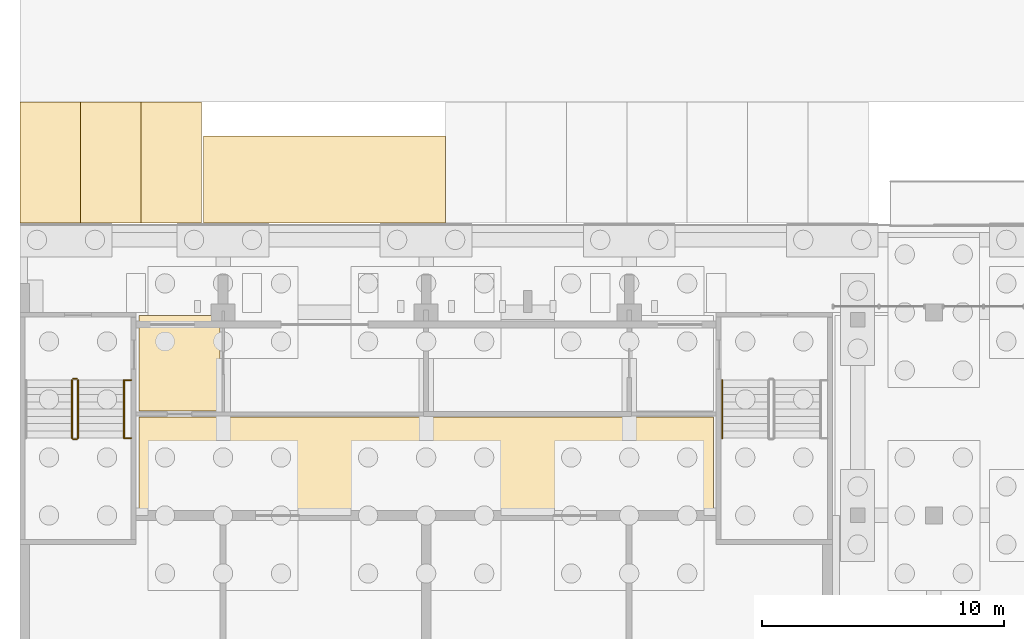
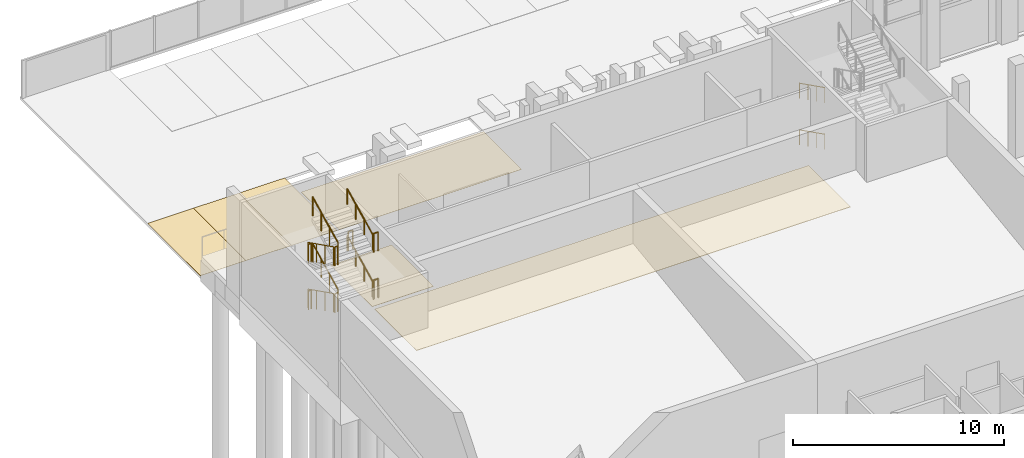
# One storey, part 115 of 129: 15 railings, 6 coverings.
"""IFC4 building model written with IfcOpenShell, lengths in metres."""

from ifc_helpers import new_model, si_unit, direction, frame, origin, origin_2d, place, context, subcontext, project, spatial, polyline, circle, outline, extrude, material, layer, layer_set, type_object, element, save


model = new_model("IFC4")

# Units and contexts
model_context = context("Model", 3, precision=1e-05, world=origin(), true_north=direction((0.0, 1.0)))
body_context = subcontext(model_context, "Body", "Model", "MODEL_VIEW")
ifc_project = project(units=[si_unit("LENGTHUNIT", "METRE"), si_unit("AREAUNIT", "SQUARE_METRE"), si_unit("VOLUMEUNIT", "CUBIC_METRE"), si_unit("PLANEANGLEUNIT", "RADIAN"), si_unit("MASSUNIT", "GRAM", prefix="KILO")], contexts=[model_context])

# Site, building, storey
site_placement = place(None, origin())
site = spatial("IfcSite", under=ifc_project, at=site_placement, CompositionType="ELEMENT")
building_placement = place(site_placement, origin())
building = spatial("IfcBuilding", under=site, at=building_placement, Name="Kiln Court Media Centre", CompositionType="ELEMENT")
storey_placement = place(building_placement, origin())
storey = spatial("IfcBuildingStorey", under=building, at=storey_placement, Name="L00", CompositionType="ELEMENT", Elevation=0.0)

# Coverings
ifc_material_1 = material(Name="Carpet tile")
ifc_layer_1 = layer(ifc_material_1, 0.014892578125)
ifc_layer_set_1 = layer_set([ifc_layer_1], Name="Carpet tile floor finish 15")
covering_type_1 = type_object("IfcCoveringType", Name="Carpet tile floor finish 15", PredefinedType="FLOORING", material=ifc_layer_set_1)
covering_1_placement = place(storey_placement, origin())
element("IfcCovering", 1, at=covering_1_placement, inside=storey, type_object=covering_type_1, Name="Staff Room floor finish", PredefinedType="FLOORING", context=body_context, shape_type="SweptSolid", body=[
    extrude(outline(polyline([(8.280029296875, 67.080078125), (4.919921875, 67.080078125), (4.919921875, 63.1201171875), (8.280029296875, 63.1201171875), (8.280029296875, 67.080078125)])), origin(), (0.0, 0.0, 1.0), 0.014892578125),
])
ifc_material_2 = material(Name="Terrazzo")
ifc_layer_2 = layer(ifc_material_2, 0.02490234375)
ifc_layer_set_2 = layer_set([ifc_layer_2], Name="Polished terrazzo floor finish 25")
covering_type_2 = type_object("IfcCoveringType", Name="Polished terrazzo floor finish 25", PredefinedType="FLOORING", material=ifc_layer_set_2)
covering_2_placement = place(storey_placement, origin())
element("IfcCovering", 2, at=covering_2_placement, inside=storey, type_object=covering_type_2, Name="Rear Exit Lobby floor finish", PredefinedType="FLOORING", context=body_context, shape_type="SweptSolid", body=[
    extrude(outline(polyline([(4.919921875, 58.919921875), (28.679931640625, 58.919921875), (28.679931640625, 62.8798828125), (4.919921875, 62.8798828125), (4.919921875, 58.919921875)])), origin(), (0.0, 0.0, 1.0), 0.02490234375),
])

# Railings
ifc_material_3 = material(Name="Steel S275", Category="steel")
railing_type_1 = type_object("IfcRailingType", Name="Steel S275 stair guard 1100", PredefinedType="GUARDRAIL", material=ifc_material_3)
railing_1_placement = place(storey_placement, frame((2.14990234375, 64.39990234375, 0.14990234375)))
element("IfcRailing", 3, at=railing_1_placement, inside=storey, type_object=railing_type_1, Name="ST-07 stair guard", PredefinedType="GUARDRAIL", context=body_context, shape_type="SweptSolid", body=[
    extrude(circle(Radius=0.02392578125, at=origin_2d()), frame((0.0, 0.0, 1.076171875), z_axis=(0.0, -0.894390793703, 0.44728638269), x_axis=(1.0, 0.0, 0.0)), (0.0, 0.0, 1.0), 2.683349609375),
    extrude(circle(Radius=0.02099609375, at=origin_2d()), origin(), (0.0, 0.0, 1.0), 1.052001953125),
    extrude(circle(Radius=0.02099609375, at=origin_2d()), frame((0.0, -0.800048828125, 0.400146484375)), (0.0, 0.0, 1.0), 1.052001953125),
    extrude(circle(Radius=0.02099609375, at=origin_2d()), frame((0.0, -1.599853515625, 0.800048828125)), (0.0, 0.0, 1.0), 1.052001953125),
    extrude(circle(Radius=0.02099609375, at=origin_2d()), frame((0.0, -2.39990234375, 1.2001953125)), (0.0, 0.0, 1.0), 1.052001953125),
])
railing_2_placement = place(storey_placement, frame((2.199951171875, 61.949951171875, 1.35009765625)))
element("IfcRailing", 4, at=railing_2_placement, inside=storey, type_object=railing_type_1, Name="ST-07 stair guard", PredefinedType="GUARDRAIL", context=body_context, shape_type="SweptSolid", body=[
    extrude(circle(Radius=0.02392578125, at=origin_2d()), frame((0.0, 0.0, 1.076171875), z_axis=(1.0, 0.0, 0.0), x_axis=(0.0, 1.0, 0.0)), (0.0, 0.0, 1.0), 0.150146484375),
    extrude(circle(Radius=0.02099609375, at=origin_2d()), origin(), (0.0, 0.0, 1.0), 1.052001953125),
    extrude(circle(Radius=0.02099609375, at=origin_2d()), frame((0.150146484375, 0.0, 0.0)), (0.0, 0.0, 1.0), 1.052001953125),
])
railing_3_placement = place(storey_placement, frame((2.39990234375, 62.0, 1.5)))
element("IfcRailing", 5, at=railing_3_placement, inside=storey, type_object=railing_type_1, Name="ST-07 stair guard", PredefinedType="GUARDRAIL", context=body_context, shape_type="SweptSolid", body=[
    extrude(circle(Radius=0.02392578125, at=origin_2d()), frame((0.0, 0.0, 1.076171875), z_axis=(0.0, 0.894427191, 0.4472135955), x_axis=(-1.0, 0.0, 0.0)), (0.0, 0.0, 1.0), 2.68310546875),
    extrude(circle(Radius=0.02099609375, at=origin_2d()), origin(), (0.0, 0.0, 1.0), 1.052001953125),
    extrude(circle(Radius=0.02099609375, at=origin_2d()), frame((0.0, 0.800048828125, 0.39990234375)), (0.0, 0.0, 1.0), 1.052001953125),
    extrude(circle(Radius=0.02099609375, at=origin_2d()), frame((0.0, 1.599853515625, 0.800048828125)), (0.0, 0.0, 1.0), 1.052001953125),
    extrude(circle(Radius=0.02099609375, at=origin_2d()), frame((0.0, 2.39990234375, 1.199951171875)), (0.0, 0.0, 1.0), 1.052001953125),
])
railing_4_placement = place(storey_placement, frame((2.199951171875, 64.449951171875, 2.699951171875)))
element("IfcRailing", 6, at=railing_4_placement, inside=storey, type_object=railing_type_1, Name="ST-07 stair guard", PredefinedType="GUARDRAIL", context=body_context, shape_type="SweptSolid", body=[
    extrude(circle(Radius=0.02392578125, at=origin_2d()), frame((0.0, 0.0, 1.076171875), z_axis=(1.0, 0.0, 0.0), x_axis=(0.0, 1.0, 0.0)), (0.0, 0.0, 1.0), 0.150146484375),
    extrude(circle(Radius=0.02099609375, at=origin_2d()), origin(), (0.0, 0.0, 1.0), 1.052001953125),
    extrude(circle(Radius=0.02099609375, at=origin_2d()), frame((0.150146484375, 0.0, 0.0)), (0.0, 0.0, 1.0), 1.052001953125),
])
railing_5_placement = place(storey_placement, frame((2.14990234375, 64.39990234375, 2.85009765625)))
element("IfcRailing", 7, at=railing_5_placement, inside=storey, type_object=railing_type_1, Name="ST-07 stair guard", PredefinedType="GUARDRAIL", context=body_context, shape_type="SweptSolid", body=[
    extrude(circle(Radius=0.02392578125, at=origin_2d()), frame((0.0, 0.0, 1.076171875), z_axis=(0.0, -0.894427191, 0.4472135955), x_axis=(1.0, 0.0, 0.0)), (0.0, 0.0, 1.0), 2.68310546875),
    extrude(circle(Radius=0.02099609375, at=origin_2d()), origin(), (0.0, 0.0, 1.0), 1.052001953125),
    extrude(circle(Radius=0.02099609375, at=origin_2d()), frame((0.0, -0.800048828125, 0.39990234375)), (0.0, 0.0, 1.0), 1.052001953125),
    extrude(circle(Radius=0.02099609375, at=origin_2d()), frame((0.0, -1.599853515625, 0.800048828125)), (0.0, 0.0, 1.0), 1.052001953125),
    extrude(circle(Radius=0.02099609375, at=origin_2d()), frame((0.0, -2.39990234375, 1.199951171875)), (0.0, 0.0, 1.0), 1.052001953125),
])
railing_6_placement = place(storey_placement, frame((2.199951171875, 61.949951171875, 4.050048828125)))
element("IfcRailing", 8, at=railing_6_placement, inside=storey, type_object=railing_type_1, Name="ST-07 stair guard", PredefinedType="GUARDRAIL", context=body_context, shape_type="SweptSolid", body=[
    extrude(circle(Radius=0.02392578125, at=origin_2d()), frame((0.0, 0.0, 1.076171875), z_axis=(1.0, 0.0, 0.0), x_axis=(0.0, 1.0, 0.0)), (0.0, 0.0, 1.0), 0.150146484375),
    extrude(circle(Radius=0.02099609375, at=origin_2d()), origin(), (0.0, 0.0, 1.0), 1.052001953125),
    extrude(circle(Radius=0.02099609375, at=origin_2d()), frame((0.150146484375, 0.0, 0.0)), (0.0, 0.0, 1.0), 1.052001953125),
])
railing_7_placement = place(storey_placement, frame((2.39990234375, 62.0, 4.199951171875)))
element("IfcRailing", 9, at=railing_7_placement, inside=storey, type_object=railing_type_1, Name="ST-07 stair guard", PredefinedType="GUARDRAIL", context=body_context, shape_type="SweptSolid", body=[
    extrude(circle(Radius=0.02392578125, at=origin_2d()), frame((0.0, 0.0, 1.076171875), z_axis=(0.0, 0.894427191, 0.4472135955), x_axis=(-1.0, 0.0, 0.0)), (0.0, 0.0, 1.0), 2.68310546875),
    extrude(circle(Radius=0.02099609375, at=origin_2d()), origin(), (0.0, 0.0, 1.0), 1.052001953125),
    extrude(circle(Radius=0.02099609375, at=origin_2d()), frame((0.0, 0.800048828125, 0.39990234375)), (0.0, 0.0, 1.0), 1.052001953125),
    extrude(circle(Radius=0.02099609375, at=origin_2d()), frame((0.0, 1.599853515625, 0.800048828125)), (0.0, 0.0, 1.0), 1.052001953125),
    extrude(circle(Radius=0.02099609375, at=origin_2d()), frame((0.0, 2.39990234375, 1.199951171875)), (0.0, 0.0, 1.0), 1.052001953125),
])
railing_8_placement = place(storey_placement, frame((2.199951171875, 64.449951171875, 0.0)))
element("IfcRailing", 10, at=railing_8_placement, inside=storey, type_object=railing_type_1, Name="ST-07 stair guard", PredefinedType="GUARDRAIL", context=body_context, shape_type="SweptSolid", body=[
    extrude(circle(Radius=0.02392578125, at=origin_2d()), frame((0.0, 0.0, 1.076171875), z_axis=(1.0, 0.0, 0.0), x_axis=(0.0, 1.0, 0.0)), (0.0, 0.0, 1.0), 0.150146484375),
    extrude(circle(Radius=0.02099609375, at=origin_2d()), origin(), (0.0, 0.0, 1.0), 1.052001953125),
    extrude(circle(Radius=0.02099609375, at=origin_2d()), frame((0.150146484375, 0.0, 0.0)), (0.0, 0.0, 1.0), 1.052001953125),
])
for number, where, name in (
    (11, (4.35009765625, 62.0, 1.35009765625), "ST-07 landing edge guard"),
    (12, (4.35009765625, 64.39990234375, 2.699951171875), "ST-07 landing edge guard"),
    (13, (4.35009765625, 62.0, 4.050048828125), "ST-07 landing edge guard"),
):
    element("IfcRailing", number, at=place(storey_placement, frame(where)), inside=storey, type_object=railing_type_1, Name=name, PredefinedType="GUARDRAIL", context=body_context, shape_type="SweptSolid", body=[
        extrude(circle(Radius=0.02392578125, at=origin_2d()), frame((0.0, 0.0, 1.076171875), z_axis=(1.0, 0.0, 0.0), x_axis=(0.0, 1.0, 0.0)), (0.0, 0.0, 1.0), 0.25),
        extrude(circle(Radius=0.02099609375, at=origin_2d()), origin(), (0.0, 0.0, 1.0), 1.052001953125),
        extrude(circle(Radius=0.02099609375, at=origin_2d()), frame((0.25, 0.0, 0.0)), (0.0, 0.0, 1.0), 1.052001953125),
    ])
ifc_material_4 = material(Name="Steel S275", Category="steel")
railing_type_2 = type_object("IfcRailingType", Name="Steel S275 stair handrail 900", PredefinedType="HANDRAIL", material=ifc_material_4)
for number, where, name in (
    (14, (4.300048828125, 62.0, 1.5), "ST-07 stair handrail"),
    (15, (4.300048828125, 62.0, 4.199951171875), "ST-07 stair handrail"),
):
    element("IfcRailing", number, at=place(storey_placement, frame(where)), inside=storey, type_object=railing_type_2, Name=name, PredefinedType="HANDRAIL", context=body_context, shape_type="SweptSolid", body=[
        extrude(circle(Radius=0.02392578125, at=origin_2d()), frame((0.0, 0.0, 0.8759765625), z_axis=(0.0, 0.894427191, 0.4472135955), x_axis=(-1.0, 0.0, 0.0)), (0.0, 0.0, 1.0), 2.68310546875),
        extrude(circle(Radius=0.02099609375, at=origin_2d()), origin(), (0.0, 0.0, 1.0), 0.851806640625),
        extrude(circle(Radius=0.02099609375, at=origin_2d()), frame((0.0, 0.800048828125, 0.39990234375)), (0.0, 0.0, 1.0), 0.851806640625),
        extrude(circle(Radius=0.02099609375, at=origin_2d()), frame((0.0, 1.599853515625, 0.800048828125)), (0.0, 0.0, 1.0), 0.851806640625),
        extrude(circle(Radius=0.02099609375, at=origin_2d()), frame((0.0, 2.39990234375, 1.199951171875)), (0.0, 0.0, 1.0), 0.851806640625),
    ])
railing_9_placement = place(storey_placement, frame((29.050048828125, 64.39990234375, 0.14990234375)))
element("IfcRailing", 16, at=railing_9_placement, inside=storey, type_object=railing_type_2, Name="ST-08 stair handrail", PredefinedType="HANDRAIL", context=body_context, shape_type="SweptSolid", body=[
    extrude(circle(Radius=0.02392578125, at=origin_2d()), frame((0.0, 0.0, 0.8759765625), z_axis=(0.0, -0.894390793703, 0.44728638269), x_axis=(1.0, 0.0, 0.0)), (0.0, 0.0, 1.0), 2.683349609375),
    extrude(circle(Radius=0.02099609375, at=origin_2d()), origin(), (0.0, 0.0, 1.0), 0.851806640625),
    extrude(circle(Radius=0.02099609375, at=origin_2d()), frame((0.0, -0.800048828125, 0.400146484375)), (0.0, 0.0, 1.0), 0.851806640625),
    extrude(circle(Radius=0.02099609375, at=origin_2d()), frame((0.0, -1.599853515625, 0.800048828125)), (0.0, 0.0, 1.0), 0.851806640625),
    extrude(circle(Radius=0.02099609375, at=origin_2d()), frame((0.0, -2.39990234375, 1.2001953125)), (0.0, 0.0, 1.0), 0.851806640625),
])
railing_10_placement = place(storey_placement, frame((29.050048828125, 64.39990234375, 2.85009765625)))
element("IfcRailing", 17, at=railing_10_placement, inside=storey, type_object=railing_type_2, Name="ST-08 stair handrail", PredefinedType="HANDRAIL", context=body_context, shape_type="SweptSolid", body=[
    extrude(circle(Radius=0.02392578125, at=origin_2d()), frame((0.0, 0.0, 0.8759765625), z_axis=(0.0, -0.894427191, 0.4472135955), x_axis=(1.0, 0.0, 0.0)), (0.0, 0.0, 1.0), 2.68310546875),
    extrude(circle(Radius=0.02099609375, at=origin_2d()), origin(), (0.0, 0.0, 1.0), 0.851806640625),
    extrude(circle(Radius=0.02099609375, at=origin_2d()), frame((0.0, -0.800048828125, 0.39990234375)), (0.0, 0.0, 1.0), 0.851806640625),
    extrude(circle(Radius=0.02099609375, at=origin_2d()), frame((0.0, -1.599853515625, 0.800048828125)), (0.0, 0.0, 1.0), 0.851806640625),
    extrude(circle(Radius=0.02099609375, at=origin_2d()), frame((0.0, -2.39990234375, 1.199951171875)), (0.0, 0.0, 1.0), 0.851806640625),
])

# Coverings
ifc_material_5 = material(Name="Thermoplastic road marking", Category="coating")
ifc_layer_3 = layer(ifc_material_5, 0.010009765625)
ifc_layer_set_3 = layer_set([ifc_layer_3], Name="Thermoplastic loading bay marking 10000x3600")
covering_type_3 = type_object("IfcCoveringType", Name="Thermoplastic loading bay marking 10000x3600", PredefinedType="FLOORING", material=ifc_layer_set_3)
covering_3_placement = place(storey_placement, frame((0.0, 0.0, -1.199951171875)))
element("IfcCovering", 18, at=covering_3_placement, inside=storey, type_object=covering_type_3, Name="Loading bay LB-1", PredefinedType="FLOORING", context=body_context, shape_type="SweptSolid", body=[
    extrude(outline(polyline([(7.60009765625, 70.89990234375), (17.60009765625, 70.89990234375), (17.60009765625, 74.5), (7.60009765625, 74.5), (7.60009765625, 70.89990234375)])), origin(), (0.0, 0.0, 1.0), 0.010009765625),
])
ifc_material_6 = material(Name="Thermoplastic road marking", Category="coating")
ifc_layer_4 = layer(ifc_material_6, 0.010009765625)
ifc_layer_set_4 = layer_set([ifc_layer_4], Name="Thermoplastic standard car bay marking 2500x5000")
covering_type_4 = type_object("IfcCoveringType", Name="Thermoplastic standard car bay marking 2500x5000", PredefinedType="FLOORING", material=ifc_layer_set_4)
covering_4_placement = place(storey_placement, frame((0.0, 0.0, -1.199951171875)))
element("IfcCovering", 19, at=covering_4_placement, inside=storey, type_object=covering_type_4, Name="Car bay P064", PredefinedType="FLOORING", context=body_context, shape_type="SweptSolid", body=[
    extrude(outline(polyline([(0.0, 70.89990234375), (2.5, 70.89990234375), (2.5, 75.89990234375), (0.0, 75.89990234375), (0.0, 70.89990234375)])), origin(), (0.0, 0.0, 1.0), 0.010009765625),
])
covering_5_placement = place(storey_placement, frame((0.0, 0.0, -1.199951171875)))
element("IfcCovering", 20, at=covering_5_placement, inside=storey, type_object=covering_type_4, Name="Car bay P065", PredefinedType="FLOORING", context=body_context, shape_type="SweptSolid", body=[
    extrude(outline(polyline([(2.5, 70.89990234375), (5.0, 70.89990234375), (5.0, 75.89990234375), (2.5, 75.89990234375), (2.5, 70.89990234375)])), origin(), (0.0, 0.0, 1.0), 0.010009765625),
])
covering_6_placement = place(storey_placement, frame((0.0, 0.0, -1.199951171875)))
element("IfcCovering", 21, at=covering_6_placement, inside=storey, type_object=covering_type_4, Name="Car bay P066", PredefinedType="FLOORING", context=body_context, shape_type="SweptSolid", body=[
    extrude(outline(polyline([(5.0, 70.89990234375), (7.5, 70.89990234375), (7.5, 75.89990234375), (5.0, 75.89990234375), (5.0, 70.89990234375)])), origin(), (0.0, 0.0, 1.0), 0.010009765625),
])

save(model, "model.ifc")
